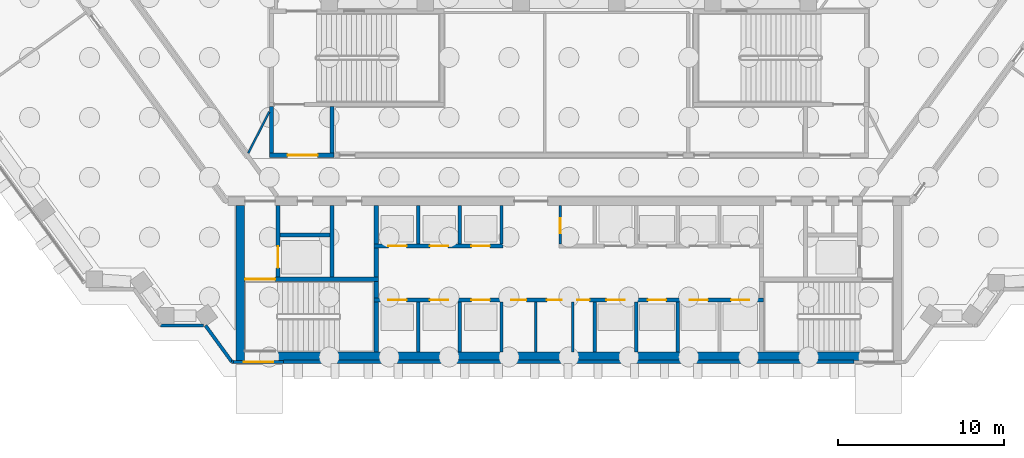
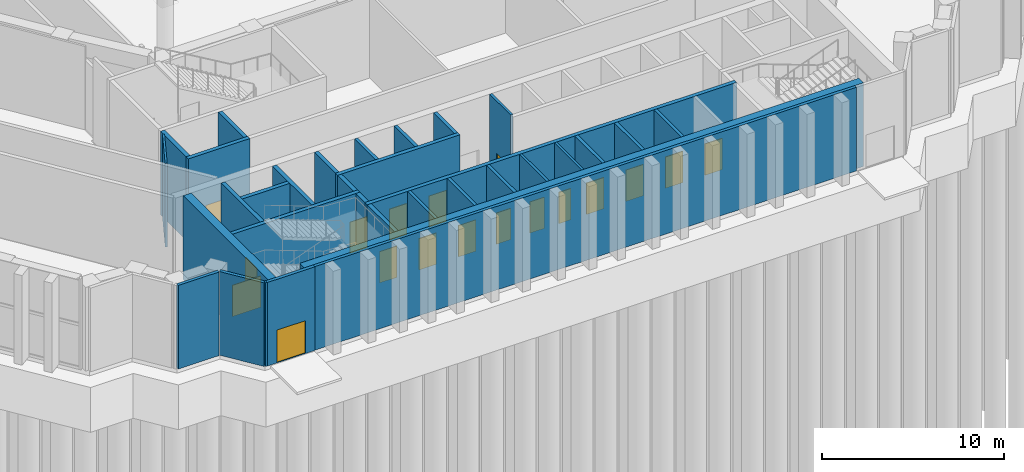
# One storey, part 17 of 32: 33 walls, 18 doors, 18 openings.
"""IFC4 building model written with IfcOpenShell, lengths in metres."""

import ifcopenshell
import ifcopenshell.guid

model = None  # the IFC model being written
_history = None  # IfcOwnerHistory: only IFC2X3 demands one
_inside = {}  # id of a spatial element -> (the spatial element, [elements in it])
_under = {}  # id of a project, library or spatial element -> (it, [spatial elements below it])
_declared = {}  # id of a project -> (the project, [libraries it declares])
_typed = {}  # id of a type object -> (the type object, [elements of that type])
_made_of = {}  # id of a material, layer set ... -> (it, [elements and type objects made of it])


def new_model(schema):
    """Start an empty IFC model of exactly this schema.

    Asked for "IFC4X3", IfcOpenShell would pick the latest addendum, in which some entities
    have other attributes; the version numbers below select the first issue.
    IFC2X3 requires an IfcOwnerHistory on every rooted entity: one is made here for all.
    """
    global model, _history
    if schema == "IFC4X3":
        model = ifcopenshell.file(schema_version=(4, 3, 0, 0))
    else:
        model = ifcopenshell.file(schema=schema)
    _inside.clear()
    _under.clear()
    _declared.clear()
    _typed.clear()
    _made_of.clear()
    _history = None
    if model.schema == "IFC2X3":
        org = make("IfcOrganization", Name="unknown")
        user = make(
            "IfcPersonAndOrganization",
            ThePerson=make("IfcPerson", FamilyName="unknown"),
            TheOrganization=org,
        )
        app = make(
            "IfcApplication",
            ApplicationDeveloper=org,
            Version="unknown",
            ApplicationFullName="unknown",
            ApplicationIdentifier="unknown",
        )
        _history = make(
            "IfcOwnerHistory",
            OwningUser=user,
            OwningApplication=app,
            ChangeAction="ADDED",
            CreationDate=0,
        )
    return model


def make(cls, **values):
    """One entity of the class cls with the attributes given. An attribute that is None is left unset."""
    return model.create_entity(
        cls, **{name: value for name, value in values.items() if value is not None}
    )


def rooted(cls, **values):
    """An entity with a GlobalId (a new one), such as an element, a storey or a relation."""
    return make(cls, GlobalId=ifcopenshell.guid.new(), OwnerHistory=_history, **values)


def si_unit(unit_type, name, prefix=None):
    """IfcSIUnit, for example si_unit("LENGTHUNIT", "METRE", prefix="MILLI")."""
    return make("IfcSIUnit", UnitType=unit_type, Prefix=prefix, Name=name)


def assignment(units):
    """IfcUnitAssignment: the units of a project."""
    return None if units is None else make("IfcUnitAssignment", Units=units)


def point(xyz):
    """IfcCartesianPoint."""
    return None if xyz is None else make("IfcCartesianPoint", Coordinates=xyz)


def direction(xyz):
    """IfcDirection."""
    return None if xyz is None else make("IfcDirection", DirectionRatios=xyz)


def frame(location, z_axis=None, x_axis=None):
    """IfcAxis2Placement3D, a coordinate frame: its origin and axes. An axis left out is left unset."""
    return make(
        "IfcAxis2Placement3D",
        Location=point(location),
        Axis=direction(z_axis),
        RefDirection=direction(x_axis),
    )


def frame_2d(location, x_axis=None):
    """IfcAxis2Placement2D, a coordinate frame in the plane: its origin and x axis."""
    return make(
        "IfcAxis2Placement2D", Location=point(location), RefDirection=direction(x_axis)
    )


def origin():
    """The frame at (0, 0, 0) with its axes left unset."""
    return frame((0.0, 0.0, 0.0))


def place(relative_to, where):
    """IfcLocalPlacement: puts the frame where relative to a parent placement (None: the world)."""
    return make(
        "IfcLocalPlacement", PlacementRelTo=relative_to, RelativePlacement=where
    )


def context(
    kind, dimensions, precision=None, world=None, true_north=None, identifier=None
):
    """IfcGeometricRepresentationContext, for example the 3D "Model" context."""
    return make(
        "IfcGeometricRepresentationContext",
        ContextIdentifier=identifier,
        ContextType=kind,
        CoordinateSpaceDimension=dimensions,
        Precision=precision,
        WorldCoordinateSystem=world,
        TrueNorth=true_north,
    )


def subcontext(parent, identifier, kind, view, scale=None):
    """IfcGeometricRepresentationSubContext, for example "Body" below "Model"."""
    return make(
        "IfcGeometricRepresentationSubContext",
        ContextIdentifier=identifier,
        ContextType=kind,
        ParentContext=parent,
        TargetScale=scale,
        TargetView=view,
    )


def project(units=None, contexts=None):
    """IfcProject with its units and contexts."""
    return rooted(
        "IfcProject",
        Name="project",
        RepresentationContexts=contexts,
        UnitsInContext=assignment(units),
    )


def spatial(cls, under=None, at=None, **own):
    """A site, building, storey or space (cls), placed at a placement, below another one or the project."""
    s = rooted(cls, ObjectPlacement=at, **own)
    if under is not None:
        _under.setdefault(under.id(), (under, []))[1].append(s)
    return s


def profile(cls, at=None, kind="AREA", **sizes):
    """A parametric profile (cls). Its sizes go by their IFC names, for example OverallWidth=200.0."""
    return make(cls, ProfileType=kind, Position=at, **sizes)


def rectangle(**sizes):
    """IfcRectangleProfileDef."""
    return profile("IfcRectangleProfileDef", **sizes)


def extrude(swept, where, along, depth):
    """IfcExtrudedAreaSolid: the profile swept, set in the frame where, extruded along a direction by depth."""
    return make(
        "IfcExtrudedAreaSolid",
        SweptArea=swept,
        Position=where,
        ExtrudedDirection=direction(along),
        Depth=depth,
    )


def shape(context_of_items, identifier, shape_type, items):
    """IfcShapeRepresentation: the items that make up one representation, for example the "Body"."""
    return make(
        "IfcShapeRepresentation",
        ContextOfItems=context_of_items,
        RepresentationIdentifier=identifier,
        RepresentationType=shape_type,
        Items=items,
    )


def material(Name=None, Category=None):
    """IfcMaterial."""
    return make("IfcMaterial", Name=Name, Category=Category)


def layer(
    of_material, thickness, ventilated=None, Name=None, Category=None, Priority=None
):
    """IfcMaterialLayer: one layer of a wall or slab, of a material (None: an air gap)."""
    return make(
        "IfcMaterialLayer",
        Material=of_material,
        LayerThickness=thickness,
        IsVentilated=ventilated,
        Name=Name,
        Category=Category,
        Priority=Priority,
    )


def layer_set(layers, Name=None):
    """IfcMaterialLayerSet."""
    return make("IfcMaterialLayerSet", MaterialLayers=layers, LayerSetName=Name)


def made_of(thing, what):
    """Note that an element or type object is made of a material, layer set ...; save() writes the relation."""
    if what is not None:
        _made_of.setdefault(what.id(), (what, []))[1].append(thing)
    return thing


def type_object(cls, material=None, **own):
    """A type object (cls), such as IfcWallType, which elements share."""
    return made_of(rooted(cls, **own), material)


def element(
    cls,
    number,
    at=None,
    inside=None,
    cuts=None,
    type_object=None,
    material=None,
    context=None,
    identifier="Body",
    shape_type=None,
    held_by="IfcProductDefinitionShape",
    body=None,
    shapes=None,
    **own,
):
    """One element of the class cls, such as IfcWall. Its Tag is "e" and its number.

    at: its placement. inside: the storey or other place that contains it. cuts: it is an
    opening in that element (IfcRelVoidsElement). A single representation is given by context,
    identifier, shape_type and body (its items); several are given by shapes. held_by: the class
    of the entity that holds the representations. save() writes the other relations.
    """
    e = rooted(cls, Tag="e%d" % number, ObjectPlacement=at, **own)
    if body is not None:
        shapes = [shape(context, identifier, shape_type, body)]
    if shapes is not None:
        e.Representation = make(held_by, Representations=shapes)
    if inside is not None:
        _inside.setdefault(inside.id(), (inside, []))[1].append(e)
    if cuts is not None:
        rooted(
            "IfcRelVoidsElement", RelatingBuildingElement=cuts, RelatedOpeningElement=e
        )
    if type_object is not None:
        _typed.setdefault(type_object.id(), (type_object, []))[1].append(e)
    return made_of(e, material)


def fill(opening, filler):
    """IfcRelFillsElement: the door or window that sits in an opening."""
    return rooted(
        "IfcRelFillsElement",
        RelatingOpeningElement=opening,
        RelatedBuildingElement=filler,
    )


def aggregate(whole, parts):
    """IfcRelAggregates: a whole, such as a stair, and the parts it consists of."""
    return rooted("IfcRelAggregates", RelatingObject=whole, RelatedObjects=parts)


def save(model, path):
    """Write the relations noted so far, then the file.

    IfcRelAggregates (storeys below a building ...), IfcRelContainedInSpatialStructure (elements
    in a storey), IfcRelDefinesByType, IfcRelAssociatesMaterial and IfcRelDeclares: one each for
    every whole, place, type object, material and project.
    """
    for whole, parts in _under.values():
        aggregate(whole, parts)
    for where, things in _inside.values():
        rooted(
            "IfcRelContainedInSpatialStructure",
            RelatedElements=things,
            RelatingStructure=where,
        )
    for kind, things in _typed.values():
        rooted("IfcRelDefinesByType", RelatedObjects=things, RelatingType=kind)
    for what, things in _made_of.values():
        rooted("IfcRelAssociatesMaterial", RelatedObjects=things, RelatingMaterial=what)
    for by, libraries in _declared.values():
        rooted("IfcRelDeclares", RelatingContext=by, RelatedDefinitions=libraries)
    model.write(path)


model = new_model("IFC4")

# Units and contexts
model_context = context("Model", 3, precision=1e-05, world=origin(), true_north=direction((0.0, 1.0)))
body_context = subcontext(model_context, "Body", "Model", "MODEL_VIEW")
ifc_project = project(units=[si_unit("LENGTHUNIT", "METRE"), si_unit("AREAUNIT", "SQUARE_METRE"), si_unit("VOLUMEUNIT", "CUBIC_METRE"), si_unit("PLANEANGLEUNIT", "RADIAN"), si_unit("MASSUNIT", "GRAM", prefix="KILO")], contexts=[model_context])

# Site, building, storey
site_placement = place(None, origin())
site = spatial("IfcSite", under=ifc_project, at=site_placement, CompositionType="ELEMENT")
building_placement = place(site_placement, origin())
building = spatial("IfcBuilding", under=site, at=building_placement, Name="Quipu Civic Tower", CompositionType="ELEMENT")
storey_placement = place(building_placement, origin())
storey = spatial("IfcBuildingStorey", under=building, at=storey_placement, Name="L00", CompositionType="ELEMENT", Elevation=0.0)

# Wall
ifc_material_1 = material(Name="Concrete C70/85", Category="concrete")
ifc_layer_1 = layer(ifc_material_1, 0.25)
ifc_layer_set_1 = layer_set([ifc_layer_1], Name="Concrete C70/85")
wall_type_1 = type_object("IfcWallType", Name="Core wall 250", PredefinedType="SHEAR", material=ifc_layer_set_1)
wall_1_placement = place(storey_placement, frame((-11.574951171875, -10.5, 0.0), z_axis=(0.0, 0.0, 1.0), x_axis=(0.0, 1.0, 0.0)))
element("IfcWall", 1, at=wall_1_placement, inside=storey, type_object=wall_type_1, Name="Core wall", PredefinedType="SHEAR", context=body_context, shape_type="SweptSolid", body=[
    extrude(rectangle(XDim=3.0, YDim=0.25, at=frame_2d((1.5, 0.0))), origin(), (0.0, 0.0, 1.0), 5.60009765625),
])

# Wall, openings, doors
wall_2_placement = place(storey_placement, frame((11.699951171875, -7.375, 0.0), z_axis=(0.0, 0.0, 1.0), x_axis=(-1.0, 0.0, 0.0)))
wall_2 = element("IfcWall", 2, at=wall_2_placement, inside=storey, type_object=wall_type_1, Name="Core wall", PredefinedType="SHEAR", context=body_context, shape_type="SweptSolid", body=[
    extrude(rectangle(XDim=23.39990234375, YDim=0.25, at=frame_2d((11.699951171875, 0.0))), origin(), (0.0, 0.0, 1.0), 5.60009765625),
])
opening_1_placement = place(wall_2_placement, frame((21.449951171875, 0.0, 0.0)))
opening_1 = element("IfcOpeningElement", 3, at=opening_1_placement, cuts=wall_2, Name="Opening LD-LL1", PredefinedType="OPENING", context=body_context, shape_type="SweptSolid", body=[
    extrude(rectangle(XDim=1.10009765625, YDim=2.10009765625, at=frame_2d((0.550048828125, 1.050048828125))), frame((0.0, 0.135009765625, 0.0), z_axis=(0.0, -1.0, 0.0), x_axis=(1.0, 0.0, 0.0)), (0.0, 0.0, 1.0), 0.27001953125),
])
opening_2_placement = place(wall_2_placement, frame((18.949951171875, 0.0, 0.0)))
opening_2 = element("IfcOpeningElement", 4, at=opening_2_placement, cuts=wall_2, Name="Opening LD-LL2", PredefinedType="OPENING", context=body_context, shape_type="SweptSolid", body=[
    extrude(rectangle(XDim=1.10009765625, YDim=2.10009765625, at=frame_2d((0.550048828125, 1.050048828125))), frame((0.0, 0.135009765625, 0.0), z_axis=(0.0, -1.0, 0.0), x_axis=(1.0, 0.0, 0.0)), (0.0, 0.0, 1.0), 0.27001953125),
])
opening_3_placement = place(wall_2_placement, frame((16.449951171875, 0.0, 0.0)))
opening_3 = element("IfcOpeningElement", 5, at=opening_3_placement, cuts=wall_2, Name="Opening LD-LL3", PredefinedType="OPENING", context=body_context, shape_type="SweptSolid", body=[
    extrude(rectangle(XDim=1.10009765625, YDim=2.10009765625, at=frame_2d((0.550048828125, 1.050048828125))), frame((0.0, 0.135009765625, 0.0), z_axis=(0.0, -1.0, 0.0), x_axis=(1.0, 0.0, 0.0)), (0.0, 0.0, 1.0), 0.27001953125),
])
opening_4_placement = place(wall_2_placement, frame((14.25, 0.0, 0.0)))
opening_4 = element("IfcOpeningElement", 6, at=opening_4_placement, cuts=wall_2, Name="Opening CD-01", PredefinedType="OPENING", context=body_context, shape_type="SweptSolid", body=[
    extrude(rectangle(XDim=0.89990234375, YDim=2.10009765625, at=frame_2d((0.449951171875, 1.050048828125))), frame((0.0, 0.135009765625, 0.0), z_axis=(0.0, -1.0, 0.0), x_axis=(1.0, 0.0, 0.0)), (0.0, 0.0, 1.0), 0.27001953125),
])
opening_5_placement = place(wall_2_placement, frame((12.125, 0.0, 0.0)))
opening_5 = element("IfcOpeningElement", 7, at=opening_5_placement, cuts=wall_2, Name="Opening CD-02", PredefinedType="OPENING", context=body_context, shape_type="SweptSolid", body=[
    extrude(rectangle(XDim=0.89990234375, YDim=2.10009765625, at=frame_2d((0.449951171875, 1.050048828125))), frame((0.0, 0.135009765625, 0.0), z_axis=(0.0, -1.0, 0.0), x_axis=(1.0, 0.0, 0.0)), (0.0, 0.0, 1.0), 0.27001953125),
])
opening_6_placement = place(wall_2_placement, frame((10.449951171875, 0.0, 0.0)))
opening_6 = element("IfcOpeningElement", 8, at=opening_6_placement, cuts=wall_2, Name="Opening CD-03", PredefinedType="OPENING", context=body_context, shape_type="SweptSolid", body=[
    extrude(rectangle(XDim=0.75, YDim=2.10009765625, at=frame_2d((0.375, 1.050048828125))), frame((0.0, 0.135009765625, 0.0), z_axis=(0.0, -1.0, 0.0), x_axis=(1.0, 0.0, 0.0)), (0.0, 0.0, 1.0), 0.27001953125),
])
opening_7_placement = place(wall_2_placement, frame((8.35009765625, 0.0, 0.0)))
opening_7 = element("IfcOpeningElement", 9, at=opening_7_placement, cuts=wall_2, Name="Opening LD-ML1", PredefinedType="OPENING", context=body_context, shape_type="SweptSolid", body=[
    extrude(rectangle(XDim=1.10009765625, YDim=2.10009765625, at=frame_2d((0.550048828125, 1.050048828125))), frame((0.0, 0.135009765625, 0.0), z_axis=(0.0, -1.0, 0.0), x_axis=(1.0, 0.0, 0.0)), (0.0, 0.0, 1.0), 0.27001953125),
])
opening_8_placement = place(wall_2_placement, frame((5.85009765625, 0.0, 0.0)))
opening_8 = element("IfcOpeningElement", 10, at=opening_8_placement, cuts=wall_2, Name="Opening LD-ML2", PredefinedType="OPENING", context=body_context, shape_type="SweptSolid", body=[
    extrude(rectangle(XDim=1.10009765625, YDim=2.10009765625, at=frame_2d((0.550048828125, 1.050048828125))), frame((0.0, 0.135009765625, 0.0), z_axis=(0.0, -1.0, 0.0), x_axis=(1.0, 0.0, 0.0)), (0.0, 0.0, 1.0), 0.27001953125),
])
opening_9_placement = place(wall_2_placement, frame((3.35009765625, 0.0, 0.0)))
opening_9 = element("IfcOpeningElement", 11, at=opening_9_placement, cuts=wall_2, Name="Opening LD-ML3", PredefinedType="OPENING", context=body_context, shape_type="SweptSolid", body=[
    extrude(rectangle(XDim=1.10009765625, YDim=2.10009765625, at=frame_2d((0.550048828125, 1.050048828125))), frame((0.0, 0.135009765625, 0.0), z_axis=(0.0, -1.0, 0.0), x_axis=(1.0, 0.0, 0.0)), (0.0, 0.0, 1.0), 0.27001953125),
])
opening_10_placement = place(wall_2_placement, frame((0.85009765625, 0.0, 0.0)))
opening_10 = element("IfcOpeningElement", 12, at=opening_10_placement, cuts=wall_2, Name="Opening LD-ML4", PredefinedType="OPENING", context=body_context, shape_type="SweptSolid", body=[
    extrude(rectangle(XDim=1.10009765625, YDim=2.10009765625, at=frame_2d((0.550048828125, 1.050048828125))), frame((0.0, 0.135009765625, 0.0), z_axis=(0.0, -1.0, 0.0), x_axis=(1.0, 0.0, 0.0)), (0.0, 0.0, 1.0), 0.27001953125),
])
ifc_material_2 = material(Name="Fire rated steel door", Category="steel")
door_type_1 = type_object("IfcDoorType", Name="Fire door FD60 750 x 2100", OperationType="NOTDEFINED", PredefinedType="DOOR", material=ifc_material_2)
door_1_placement = place(opening_6_placement, origin())
door_1 = element("IfcDoor", 13, at=door_1_placement, inside=storey, type_object=door_type_1, Name="Door", OperationType="SINGLE_SWING_LEFT", OverallHeight=2.10009765625, OverallWidth=0.75, PredefinedType="DOOR", context=body_context, shape_type="SweptSolid", body=[
    extrude(rectangle(XDim=0.75, YDim=2.10009765625, at=frame_2d((0.375, 1.050048828125))), frame((0.0, 0.02490234375, 0.0), z_axis=(0.0, -1.0, 0.0), x_axis=(1.0, 0.0, 0.0)), (0.0, 0.0, 1.0), 0.050048828125),
])
fill(opening_6, door_1)
ifc_material_3 = material(Name="Fire rated steel door", Category="steel")
door_type_2 = type_object("IfcDoorType", Name="Fire door FD60 900 x 2100", OperationType="NOTDEFINED", PredefinedType="DOOR", material=ifc_material_3)
door_2_placement = place(opening_4_placement, origin())
door_2 = element("IfcDoor", 14, at=door_2_placement, inside=storey, type_object=door_type_2, Name="WC door", OperationType="SINGLE_SWING_RIGHT", OverallHeight=2.10009765625, OverallWidth=0.89990234375, PredefinedType="DOOR", context=body_context, shape_type="SweptSolid", body=[
    extrude(rectangle(XDim=0.89990234375, YDim=2.10009765625, at=frame_2d((0.449951171875, 1.050048828125))), frame((0.0, 0.02490234375, 0.0), z_axis=(0.0, -1.0, 0.0), x_axis=(1.0, 0.0, 0.0)), (0.0, 0.0, 1.0), 0.050048828125),
])
fill(opening_4, door_2)
door_3_placement = place(opening_5_placement, origin())
door_3 = element("IfcDoor", 15, at=door_3_placement, inside=storey, type_object=door_type_2, Name="WC door", OperationType="SINGLE_SWING_RIGHT", OverallHeight=2.10009765625, OverallWidth=0.89990234375, PredefinedType="DOOR", context=body_context, shape_type="SweptSolid", body=[
    extrude(rectangle(XDim=0.89990234375, YDim=2.10009765625, at=frame_2d((0.449951171875, 1.050048828125))), frame((0.0, 0.02490234375, 0.0), z_axis=(0.0, -1.0, 0.0), x_axis=(1.0, 0.0, 0.0)), (0.0, 0.0, 1.0), 0.050048828125),
])
fill(opening_5, door_3)
ifc_material_4 = material(Name="Stainless steel", Category="steel")
door_type_3 = type_object("IfcDoorType", Name="Lift landing door 1100 x 2100", OperationType="DOUBLE_DOOR_SLIDING", PredefinedType="DOOR", material=ifc_material_4)
door_4_placement = place(opening_1_placement, origin())
door_4 = element("IfcDoor", 16, at=door_4_placement, inside=storey, type_object=door_type_3, Name="Landing door LL1", OperationType="DOUBLE_DOOR_SLIDING", OverallHeight=2.10009765625, OverallWidth=1.10009765625, PredefinedType="DOOR", context=body_context, shape_type="SweptSolid", body=[
    extrude(rectangle(XDim=1.10009765625, YDim=2.10009765625, at=frame_2d((0.550048828125, 1.050048828125))), frame((0.0, 0.02490234375, 0.0), z_axis=(0.0, -1.0, 0.0), x_axis=(1.0, 0.0, 0.0)), (0.0, 0.0, 1.0), 0.050048828125),
])
fill(opening_1, door_4)
door_5_placement = place(opening_2_placement, origin())
door_5 = element("IfcDoor", 17, at=door_5_placement, inside=storey, type_object=door_type_3, Name="Landing door LL2", OperationType="DOUBLE_DOOR_SLIDING", OverallHeight=2.10009765625, OverallWidth=1.10009765625, PredefinedType="DOOR", context=body_context, shape_type="SweptSolid", body=[
    extrude(rectangle(XDim=1.10009765625, YDim=2.10009765625, at=frame_2d((0.550048828125, 1.050048828125))), frame((0.0, 0.02490234375, 0.0), z_axis=(0.0, -1.0, 0.0), x_axis=(1.0, 0.0, 0.0)), (0.0, 0.0, 1.0), 0.050048828125),
])
fill(opening_2, door_5)
door_6_placement = place(opening_3_placement, origin())
door_6 = element("IfcDoor", 18, at=door_6_placement, inside=storey, type_object=door_type_3, Name="Landing door LL3", OperationType="DOUBLE_DOOR_SLIDING", OverallHeight=2.10009765625, OverallWidth=1.10009765625, PredefinedType="DOOR", context=body_context, shape_type="SweptSolid", body=[
    extrude(rectangle(XDim=1.10009765625, YDim=2.10009765625, at=frame_2d((0.550048828125, 1.050048828125))), frame((0.0, 0.02490234375, 0.0), z_axis=(0.0, -1.0, 0.0), x_axis=(1.0, 0.0, 0.0)), (0.0, 0.0, 1.0), 0.050048828125),
])
fill(opening_3, door_6)
door_7_placement = place(opening_7_placement, origin())
door_7 = element("IfcDoor", 19, at=door_7_placement, inside=storey, type_object=door_type_3, Name="Landing door ML1", OperationType="DOUBLE_DOOR_SLIDING", OverallHeight=2.10009765625, OverallWidth=1.10009765625, PredefinedType="DOOR", context=body_context, shape_type="SweptSolid", body=[
    extrude(rectangle(XDim=1.10009765625, YDim=2.10009765625, at=frame_2d((0.550048828125, 1.050048828125))), frame((0.0, 0.02490234375, 0.0), z_axis=(0.0, -1.0, 0.0), x_axis=(1.0, 0.0, 0.0)), (0.0, 0.0, 1.0), 0.050048828125),
])
fill(opening_7, door_7)
door_8_placement = place(opening_8_placement, origin())
door_8 = element("IfcDoor", 20, at=door_8_placement, inside=storey, type_object=door_type_3, Name="Landing door ML2", OperationType="DOUBLE_DOOR_SLIDING", OverallHeight=2.10009765625, OverallWidth=1.10009765625, PredefinedType="DOOR", context=body_context, shape_type="SweptSolid", body=[
    extrude(rectangle(XDim=1.10009765625, YDim=2.10009765625, at=frame_2d((0.550048828125, 1.050048828125))), frame((0.0, 0.02490234375, 0.0), z_axis=(0.0, -1.0, 0.0), x_axis=(1.0, 0.0, 0.0)), (0.0, 0.0, 1.0), 0.050048828125),
])
fill(opening_8, door_8)
door_9_placement = place(opening_9_placement, origin())
door_9 = element("IfcDoor", 21, at=door_9_placement, inside=storey, type_object=door_type_3, Name="Landing door ML3", OperationType="DOUBLE_DOOR_SLIDING", OverallHeight=2.10009765625, OverallWidth=1.10009765625, PredefinedType="DOOR", context=body_context, shape_type="SweptSolid", body=[
    extrude(rectangle(XDim=1.10009765625, YDim=2.10009765625, at=frame_2d((0.550048828125, 1.050048828125))), frame((0.0, 0.02490234375, 0.0), z_axis=(0.0, -1.0, 0.0), x_axis=(1.0, 0.0, 0.0)), (0.0, 0.0, 1.0), 0.050048828125),
])
fill(opening_9, door_9)
door_10_placement = place(opening_10_placement, origin())
door_10 = element("IfcDoor", 22, at=door_10_placement, inside=storey, type_object=door_type_3, Name="Landing door ML4", OperationType="DOUBLE_DOOR_SLIDING", OverallHeight=2.10009765625, OverallWidth=1.10009765625, PredefinedType="DOOR", context=body_context, shape_type="SweptSolid", body=[
    extrude(rectangle(XDim=1.10009765625, YDim=2.10009765625, at=frame_2d((0.550048828125, 1.050048828125))), frame((0.0, 0.02490234375, 0.0), z_axis=(0.0, -1.0, 0.0), x_axis=(1.0, 0.0, 0.0)), (0.0, 0.0, 1.0), 0.050048828125),
])
fill(opening_10, door_10)

# Wall
wall_3_placement = place(storey_placement, frame((-11.574951171875, -7.25, 0.0), z_axis=(0.0, 0.0, 1.0), x_axis=(0.0, 1.0, 0.0)))
element("IfcWall", 23, at=wall_3_placement, inside=storey, type_object=wall_type_1, Name="Core wall", PredefinedType="SHEAR", context=body_context, shape_type="SweptSolid", body=[
    extrude(rectangle(XDim=1.0, YDim=0.25, at=frame_2d((0.5, 0.0))), origin(), (0.0, 0.0, 1.0), 5.60009765625),
])

# Wall, opening, door
wall_4_placement = place(storey_placement, frame((-11.449951171875, -6.125, 0.0), z_axis=(0.0, 0.0, 1.0), x_axis=(-1.0, 0.0, 0.0)))
wall_4 = element("IfcWall", 24, at=wall_4_placement, inside=storey, type_object=wall_type_1, Name="Core wall", PredefinedType="SHEAR", context=body_context, shape_type="SweptSolid", body=[
    extrude(rectangle(XDim=8.050048828125, YDim=0.25, at=frame_2d((4.02490234375, 0.0))), origin(), (0.0, 0.0, 1.0), 5.60009765625),
])
opening_11_placement = place(wall_4_placement, frame((6.199951171875, 0.0, 0.0)))
opening_11 = element("IfcOpeningElement", 25, at=opening_11_placement, cuts=wall_4, Name="Opening CD-04", PredefinedType="OPENING", context=body_context, shape_type="SweptSolid", body=[
    extrude(rectangle(XDim=1.800048828125, YDim=2.10009765625, at=frame_2d((0.89990234375, 1.050048828125))), frame((0.0, 0.135009765625, 0.0), z_axis=(0.0, -1.0, 0.0), x_axis=(1.0, 0.0, 0.0)), (0.0, 0.0, 1.0), 0.27001953125),
])
ifc_material_5 = material(Name="Fire rated steel door", Category="steel")
door_type_4 = type_object("IfcDoorType", Name="Fire door FD90 double 1800 x 2100", OperationType="NOTDEFINED", PredefinedType="DOOR", material=ifc_material_5)
door_11_placement = place(opening_11_placement, origin())
door_11 = element("IfcDoor", 26, at=door_11_placement, inside=storey, type_object=door_type_4, Name="Door", OperationType="DOUBLE_DOOR_SINGLE_SWING", OverallHeight=2.10009765625, OverallWidth=1.800048828125, PredefinedType="DOOR", context=body_context, shape_type="SweptSolid", body=[
    extrude(rectangle(XDim=1.800048828125, YDim=2.10009765625, at=frame_2d((0.89990234375, 1.050048828125))), frame((0.0, 0.02490234375, 0.0), z_axis=(0.0, -1.0, 0.0), x_axis=(1.0, 0.0, 0.0)), (0.0, 0.0, 1.0), 0.050048828125),
])
fill(opening_11, door_11)

wall_5_placement = place(storey_placement, frame((-17.47509765625, -6.0, 0.0), z_axis=(0.0, 0.0, 1.0), x_axis=(0.0, 1.0, 0.0)))
wall_5 = element("IfcWall", 27, at=wall_5_placement, inside=storey, type_object=wall_type_1, Name="Core wall", PredefinedType="SHEAR", context=body_context, shape_type="SweptSolid", body=[
    extrude(rectangle(XDim=4.300048828125, YDim=0.25, at=frame_2d((2.14990234375, 0.0))), origin(), (0.0, 0.0, 1.0), 5.60009765625),
])
opening_12_placement = place(wall_5_placement, frame((0.550048828125, 0.0, 0.0)))
opening_12 = element("IfcOpeningElement", 28, at=opening_12_placement, cuts=wall_5, Name="Opening LD-FF1", PredefinedType="OPENING", context=body_context, shape_type="SweptSolid", body=[
    extrude(rectangle(XDim=1.300048828125, YDim=2.10009765625, at=frame_2d((0.64990234375, 1.050048828125))), frame((0.0, 0.135009765625, 0.0), z_axis=(0.0, -1.0, 0.0), x_axis=(1.0, 0.0, 0.0)), (0.0, 0.0, 1.0), 0.27001953125),
])
ifc_material_6 = material(Name="Stainless steel", Category="steel")
door_type_5 = type_object("IfcDoorType", Name="Lift landing door 1300 x 2100", OperationType="DOUBLE_DOOR_SLIDING", PredefinedType="DOOR", material=ifc_material_6)
door_12_placement = place(opening_12_placement, origin())
door_12 = element("IfcDoor", 29, at=door_12_placement, inside=storey, type_object=door_type_5, Name="Landing door FF1", OperationType="DOUBLE_DOOR_SLIDING", OverallHeight=2.10009765625, OverallWidth=1.300048828125, PredefinedType="DOOR", context=body_context, shape_type="SweptSolid", body=[
    extrude(rectangle(XDim=1.300048828125, YDim=2.10009765625, at=frame_2d((0.64990234375, 1.050048828125))), frame((0.0, 0.02490234375, 0.0), z_axis=(0.0, -1.0, 0.0), x_axis=(1.0, 0.0, 0.0)), (0.0, 0.0, 1.0), 0.050048828125),
])
fill(opening_12, door_12)

# Walls
wall_6_placement = place(storey_placement, frame((-14.22509765625, -6.0, 0.0), z_axis=(0.0, 0.0, 1.0), x_axis=(0.0, 1.0, 0.0)))
element("IfcWall", 30, at=wall_6_placement, inside=storey, type_object=wall_type_1, Name="Core wall", PredefinedType="SHEAR", context=body_context, shape_type="SweptSolid", body=[
    extrude(rectangle(XDim=4.300048828125, YDim=0.25, at=frame_2d((2.14990234375, 0.0))), origin(), (0.0, 0.0, 1.0), 5.60009765625),
])
wall_7_placement = place(storey_placement, frame((-11.574951171875, -6.0, 0.0), z_axis=(0.0, 0.0, 1.0), x_axis=(0.0, 1.0, 0.0)))
element("IfcWall", 31, at=wall_7_placement, inside=storey, type_object=wall_type_1, Name="Core wall", PredefinedType="SHEAR", context=body_context, shape_type="SweptSolid", body=[
    extrude(rectangle(XDim=1.75, YDim=0.25, at=frame_2d((0.875, 0.0))), origin(), (0.0, 0.0, 1.0), 5.60009765625),
])

# Wall, openings, doors
wall_8_placement = place(storey_placement, frame((-11.699951171875, -4.125, 0.0), z_axis=(0.0, 0.0, 1.0), x_axis=(1.0, 0.0, 0.0)))
wall_8 = element("IfcWall", 32, at=wall_8_placement, inside=storey, type_object=wall_type_1, Name="Core wall", PredefinedType="SHEAR", context=body_context, shape_type="SweptSolid", body=[
    extrude(rectangle(XDim=7.75, YDim=0.25, at=frame_2d((3.875, 0.0))), origin(), (0.0, 0.0, 1.0), 5.60009765625),
])
opening_13_placement = place(wall_8_placement, frame((0.85009765625, 0.0, 0.0)))
opening_13 = element("IfcOpeningElement", 33, at=opening_13_placement, cuts=wall_8, Name="Opening LD-LL4", PredefinedType="OPENING", context=body_context, shape_type="SweptSolid", body=[
    extrude(rectangle(XDim=1.10009765625, YDim=2.10009765625, at=frame_2d((0.550048828125, 1.050048828125))), frame((0.0, 0.135009765625, 0.0), z_axis=(0.0, -1.0, 0.0), x_axis=(1.0, 0.0, 0.0)), (0.0, 0.0, 1.0), 0.27001953125),
])
opening_14_placement = place(wall_8_placement, frame((3.35009765625, 0.0, 0.0)))
opening_14 = element("IfcOpeningElement", 34, at=opening_14_placement, cuts=wall_8, Name="Opening LD-LL5", PredefinedType="OPENING", context=body_context, shape_type="SweptSolid", body=[
    extrude(rectangle(XDim=1.10009765625, YDim=2.10009765625, at=frame_2d((0.550048828125, 1.050048828125))), frame((0.0, 0.135009765625, 0.0), z_axis=(0.0, -1.0, 0.0), x_axis=(1.0, 0.0, 0.0)), (0.0, 0.0, 1.0), 0.27001953125),
])
opening_15_placement = place(wall_8_placement, frame((5.85009765625, 0.0, 0.0)))
opening_15 = element("IfcOpeningElement", 35, at=opening_15_placement, cuts=wall_8, Name="Opening LD-LL6", PredefinedType="OPENING", context=body_context, shape_type="SweptSolid", body=[
    extrude(rectangle(XDim=1.10009765625, YDim=2.10009765625, at=frame_2d((0.550048828125, 1.050048828125))), frame((0.0, 0.135009765625, 0.0), z_axis=(0.0, -1.0, 0.0), x_axis=(1.0, 0.0, 0.0)), (0.0, 0.0, 1.0), 0.27001953125),
])
door_13_placement = place(opening_13_placement, origin())
door_13 = element("IfcDoor", 36, at=door_13_placement, inside=storey, type_object=door_type_3, Name="Landing door LL4", OperationType="DOUBLE_DOOR_SLIDING", OverallHeight=2.10009765625, OverallWidth=1.10009765625, PredefinedType="DOOR", context=body_context, shape_type="SweptSolid", body=[
    extrude(rectangle(XDim=1.10009765625, YDim=2.10009765625, at=frame_2d((0.550048828125, 1.050048828125))), frame((0.0, 0.02490234375, 0.0), z_axis=(0.0, -1.0, 0.0), x_axis=(1.0, 0.0, 0.0)), (0.0, 0.0, 1.0), 0.050048828125),
])
fill(opening_13, door_13)
door_14_placement = place(opening_14_placement, origin())
door_14 = element("IfcDoor", 37, at=door_14_placement, inside=storey, type_object=door_type_3, Name="Landing door LL5", OperationType="DOUBLE_DOOR_SLIDING", OverallHeight=2.10009765625, OverallWidth=1.10009765625, PredefinedType="DOOR", context=body_context, shape_type="SweptSolid", body=[
    extrude(rectangle(XDim=1.10009765625, YDim=2.10009765625, at=frame_2d((0.550048828125, 1.050048828125))), frame((0.0, 0.02490234375, 0.0), z_axis=(0.0, -1.0, 0.0), x_axis=(1.0, 0.0, 0.0)), (0.0, 0.0, 1.0), 0.050048828125),
])
fill(opening_14, door_14)
door_15_placement = place(opening_15_placement, origin())
door_15 = element("IfcDoor", 38, at=door_15_placement, inside=storey, type_object=door_type_3, Name="Landing door LL6", OperationType="DOUBLE_DOOR_SLIDING", OverallHeight=2.10009765625, OverallWidth=1.10009765625, PredefinedType="DOOR", context=body_context, shape_type="SweptSolid", body=[
    extrude(rectangle(XDim=1.10009765625, YDim=2.10009765625, at=frame_2d((0.550048828125, 1.050048828125))), frame((0.0, 0.02490234375, 0.0), z_axis=(0.0, -1.0, 0.0), x_axis=(1.0, 0.0, 0.0)), (0.0, 0.0, 1.0), 0.050048828125),
])
fill(opening_15, door_15)

# Walls
wall_9_placement = place(storey_placement, frame((-11.574951171875, -4.0, 0.0), z_axis=(0.0, 0.0, 1.0), x_axis=(0.0, 1.0, 0.0)))
element("IfcWall", 39, at=wall_9_placement, inside=storey, type_object=wall_type_1, Name="Core wall", PredefinedType="SHEAR", context=body_context, shape_type="SweptSolid", body=[
    extrude(rectangle(XDim=2.300048828125, YDim=0.25, at=frame_2d((1.14990234375, 0.0))), origin(), (0.0, 0.0, 1.0), 5.60009765625),
])
wall_10_placement = place(storey_placement, frame((-17.35009765625, -3.47509765625, 0.0), z_axis=(0.0, 0.0, 1.0), x_axis=(1.0, 0.0, 0.0)))
element("IfcWall", 40, at=wall_10_placement, inside=storey, type_object=wall_type_1, Name="Core wall", PredefinedType="SHEAR", context=body_context, shape_type="SweptSolid", body=[
    extrude(rectangle(XDim=3.0, YDim=0.25, at=frame_2d((1.5, 0.0))), origin(), (0.0, 0.0, 1.0), 5.60009765625),
])

# Wall, opening, door
wall_11_placement = place(storey_placement, frame((-18.0, 1.324951171875, 0.0), z_axis=(0.0, 0.0, 1.0), x_axis=(1.0, 0.0, 0.0)))
wall_11 = element("IfcWall", 41, at=wall_11_placement, inside=storey, type_object=wall_type_1, Name="Core wall", PredefinedType="SHEAR", context=body_context, shape_type="SweptSolid", body=[
    extrude(rectangle(XDim=3.89990234375, YDim=0.25, at=frame_2d((1.949951171875, 0.0))), origin(), (0.0, 0.0, 1.0), 5.60009765625),
])
opening_16_placement = place(wall_11_placement, frame((1.10009765625, 0.0, 0.0)))
opening_16 = element("IfcOpeningElement", 42, at=opening_16_placement, cuts=wall_11, Name="Opening CD-15", PredefinedType="OPENING", context=body_context, shape_type="SweptSolid", body=[
    extrude(rectangle(XDim=1.800048828125, YDim=2.10009765625, at=frame_2d((0.89990234375, 1.050048828125))), frame((0.0, 0.135009765625, 0.0), z_axis=(0.0, -1.0, 0.0), x_axis=(1.0, 0.0, 0.0)), (0.0, 0.0, 1.0), 0.27001953125),
])
door_16_placement = place(opening_16_placement, origin())
door_16 = element("IfcDoor", 43, at=door_16_placement, inside=storey, type_object=door_type_4, Name="Lobby door", OperationType="DOUBLE_DOOR_SINGLE_SWING", OverallHeight=2.10009765625, OverallWidth=1.800048828125, PredefinedType="DOOR", context=body_context, shape_type="SweptSolid", body=[
    extrude(rectangle(XDim=1.800048828125, YDim=2.10009765625, at=frame_2d((0.89990234375, 1.050048828125))), frame((0.0, 0.02490234375, 0.0), z_axis=(0.0, -1.0, 0.0), x_axis=(1.0, 0.0, 0.0)), (0.0, 0.0, 1.0), 0.050048828125),
])
fill(opening_16, door_16)

# Walls
for number, where, z_axis, x_axis, name in (
    (44, (-17.875, 1.449951171875, 0.0), (0.0, 0.0, 1.0), (0.0, 1.0, 0.0), "Core wall"),
    (45, (-14.22509765625, 1.449951171875, 0.0), (0.0, 0.0, 1.0), (0.0, 1.0, 0.0), "Core wall"),
):
    element("IfcWall", number, at=place(storey_placement, frame(where, z_axis=z_axis, x_axis=x_axis)), inside=storey, type_object=wall_type_1, Name=name, PredefinedType="SHEAR", context=body_context, shape_type="SweptSolid", body=[
        extrude(rectangle(XDim=2.800048828125, YDim=0.25, at=frame_2d((1.39990234375, 0.0))), origin(), (0.0, 0.0, 1.0), 5.60009765625),
    ])
ifc_material_7 = material(Name="Concrete C70/85", Category="concrete")
ifc_layer_2 = layer(ifc_material_7, 0.5)
ifc_layer_set_2 = layer_set([ifc_layer_2], Name="Concrete C70/85")
wall_type_2 = type_object("IfcWallType", Name="Core wall 500", PredefinedType="SHEAR", material=ifc_layer_set_2)
wall_12_placement = place(storey_placement, frame((-19.75, -11.0, 0.0), z_axis=(0.0, 0.0, 1.0), x_axis=(0.0, 1.0, 0.0)))
element("IfcWall", 46, at=wall_12_placement, inside=storey, type_object=wall_type_2, Name="Core wall", PredefinedType="SHEAR", context=body_context, shape_type="SweptSolid", body=[
    extrude(rectangle(XDim=9.300048828125, YDim=0.5, at=frame_2d((4.64990234375, 0.0))), origin(), (0.0, 0.0, 1.0), 5.60009765625),
])
wall_13_placement = place(storey_placement, frame((-17.699951171875, -10.75, 0.0), z_axis=(0.0, 0.0, 1.0), x_axis=(1.0, 0.0, 0.0)))
element("IfcWall", 47, at=wall_13_placement, inside=storey, type_object=wall_type_2, Name="Core wall", PredefinedType="SHEAR", context=body_context, shape_type="SweptSolid", body=[
    extrude(rectangle(XDim=35.39990234375, YDim=0.5, at=frame_2d((17.699951171875, 0.0))), origin(), (0.0, 0.0, 1.0), 5.60009765625),
])
ifc_material_8 = material(Name="Gypsum plasterboard on light gauge framing")
ifc_layer_3 = layer(ifc_material_8, 0.1201171875)
ifc_layer_set_3 = layer_set([ifc_layer_3], Name="Gypsum plasterboard on light gauge framing")
wall_type_3 = type_object("IfcWallType", Name="Partition 120 plasterboard", PredefinedType="PARTITIONING", material=ifc_layer_set_3)
wall_14_placement = place(storey_placement, frame((-19.260986328125, 1.449951171875, 0.0), z_axis=(0.0, 0.0, 1.0), x_axis=(0.453950796792, 0.891026752736, 0.0)))
element("IfcWall", 48, at=wall_14_placement, inside=storey, type_object=wall_type_3, Name="Partition P43", PredefinedType="PARTITIONING", context=body_context, shape_type="SweptSolid", body=[
    extrude(rectangle(XDim=2.77783203125, YDim=0.1201171875, at=frame_2d((1.388916015625, 0.0))), origin(), (0.0, 0.0, 1.0), 5.60009765625),
])
ifc_material_9 = material(Name="Gypsum board partition")
ifc_layer_4 = layer(ifc_material_9, 0.14990234375)
ifc_layer_set_4 = layer_set([ifc_layer_4], Name="Gypsum board partition")
wall_type_4 = type_object("IfcWallType", Name="Partition 150", PredefinedType="PARTITIONING", material=ifc_layer_set_4)
for number, where, z_axis, x_axis, name in (
    (49, (-1.97509765625, -10.5, 0.0), (0.0, 0.0, 1.0), (0.0, 1.0, 0.0), "Partition"),
    (50, (0.22509765625, -10.5, 0.0), (0.0, 0.0, 1.0), (0.0, 1.0, 0.0), "Partition"),
):
    element("IfcWall", number, at=place(storey_placement, frame(where, z_axis=z_axis, x_axis=x_axis)), inside=storey, type_object=wall_type_4, Name=name, PredefinedType="PARTITIONING", context=body_context, shape_type="SweptSolid", body=[
        extrude(rectangle(XDim=3.0, YDim=0.14990234375, at=frame_2d((1.5, 0.0))), origin(), (0.0, 0.0, 1.0), 5.60009765625),
    ])

# Wall, opening, door
wall_15_placement = place(storey_placement, frame((-0.52490234375, -4.0, 0.0), z_axis=(0.0, 0.0, 1.0), x_axis=(0.0, 1.0, 0.0)))
wall_15 = element("IfcWall", 51, at=wall_15_placement, inside=storey, type_object=wall_type_4, Name="Partition", PredefinedType="PARTITIONING", context=body_context, shape_type="SweptSolid", body=[
    extrude(rectangle(XDim=2.300048828125, YDim=0.14990234375, at=frame_2d((1.14990234375, 0.0))), origin(), (0.0, 0.0, 1.0), 5.60009765625),
])
opening_17_placement = place(wall_15_placement, frame((0.64990234375, 0.0, 0.0)))
opening_17 = element("IfcOpeningElement", 52, at=opening_17_placement, cuts=wall_15, Name="Opening CD-06", PredefinedType="OPENING", context=body_context, shape_type="SweptSolid", body=[
    extrude(rectangle(XDim=0.89990234375, YDim=2.10009765625, at=frame_2d((0.449951171875, 1.050048828125))), frame((0.0, 0.0849609375, 0.0), z_axis=(0.0, -1.0, 0.0), x_axis=(1.0, 0.0, 0.0)), (0.0, 0.0, 1.0), 0.169921875),
])
door_17_placement = place(opening_17_placement, origin())
door_17 = element("IfcDoor", 53, at=door_17_placement, inside=storey, type_object=door_type_2, Name="WC door", OperationType="SINGLE_SWING_LEFT", OverallHeight=2.10009765625, OverallWidth=0.89990234375, PredefinedType="DOOR", context=body_context, shape_type="SweptSolid", body=[
    extrude(rectangle(XDim=0.89990234375, YDim=2.10009765625, at=frame_2d((0.449951171875, 1.050048828125))), frame((0.0, 0.02490234375, 0.0), z_axis=(0.0, -1.0, 0.0), x_axis=(1.0, 0.0, 0.0)), (0.0, 0.0, 1.0), 0.050048828125),
])
fill(opening_17, door_17)

# Walls
ifc_material_10 = material(Name="Precast concrete C40/50", Category="concrete")
wall_type_5 = type_object("IfcWallType", Name="Precast cladding wall", PredefinedType="SOLIDWALL", material=ifc_material_10)
wall_16_placement = place(storey_placement, frame((-24.53076171875, -8.90380859375, 0.0), z_axis=(0.0, 0.0, 1.0), x_axis=(1.0, 0.0, 0.0)))
element("IfcWall", 54, at=wall_16_placement, inside=storey, type_object=wall_type_5, Name="Precast cladding wall L00 39", PredefinedType="SOLIDWALL", context=body_context, shape_type="SweptSolid", body=[
    extrude(rectangle(XDim=2.58740234375, YDim=0.199951171875, at=frame_2d((1.293701171875, 0.0))), origin(), (0.0, 0.0, 1.0), 5.60009765625),
])
wall_17_placement = place(storey_placement, frame((-21.8330078125, -8.90869140625, 0.0), z_axis=(0.0, 0.0, 1.0), x_axis=(0.587766567315, -0.809030569476, 0.0)))
element("IfcWall", 55, at=wall_17_placement, inside=storey, type_object=wall_type_5, Name="Precast cladding wall L00 40", PredefinedType="SOLIDWALL", context=body_context, shape_type="SweptSolid", body=[
    extrude(rectangle(XDim=2.687744140625, YDim=0.199951171875, at=frame_2d((1.34375, 0.0))), origin(), (0.0, 0.0, 1.0), 5.60009765625),
])
wall_18_placement = place(storey_placement, frame((-20.255859375, -11.087890625, 0.0), z_axis=(0.0, 0.0, 1.0), x_axis=(1.0, 0.0, 0.0)))
element("IfcWall", 56, at=wall_18_placement, inside=storey, type_object=wall_type_5, Name="Precast cladding wall L00 41", PredefinedType="SOLIDWALL", context=body_context, shape_type="SweptSolid", body=[
    extrude(rectangle(XDim=0.105224609375, YDim=0.199951171875, at=frame_2d((0.052734375, 0.0))), origin(), (0.0, 0.0, 1.0), 5.60009765625),
])
wall_19_placement = place(storey_placement, frame((-17.143310546875, -11.087890625, 0.0), z_axis=(0.0, 0.0, 1.0), x_axis=(1.0, 0.0, 0.0)))
element("IfcWall", 57, at=wall_19_placement, inside=storey, type_object=wall_type_5, Name="Precast cladding wall L00 43", PredefinedType="SOLIDWALL", context=body_context, shape_type="SweptSolid", body=[
    extrude(rectangle(XDim=34.28662109375, YDim=0.199951171875, at=frame_2d((17.143310546875, 0.0))), origin(), (0.0, 0.0, 1.0), 5.60009765625),
])

# Wall, opening, door
ifc_material_11 = material(Name="Precast concrete C40/50", Category="concrete")
wall_type_6 = type_object("IfcWallType", Name="Precast door surround", PredefinedType="SOLIDWALL", material=ifc_material_11)
wall_20_placement = place(storey_placement, frame((-17.14306640625, -11.10009765625, 0.0), z_axis=(0.0, 0.0, 1.0), x_axis=(-1.0, 0.0, 0.0)))
wall_20 = element("IfcWall", 58, at=wall_20_placement, inside=storey, type_object=wall_type_6, Name="Door surround SD-L00-1", PredefinedType="SOLIDWALL", context=body_context, shape_type="SweptSolid", body=[
    extrude(rectangle(XDim=3.007568359375, YDim=0.199951171875, at=frame_2d((1.50390625, 0.0))), origin(), (0.0, 0.0, 1.0), 5.60009765625),
])
opening_18_placement = place(wall_20_placement, frame((0.603759765625, 0.0, 0.0)))
opening_18 = element("IfcOpeningElement", 59, at=opening_18_placement, cuts=wall_20, Name="Opening SD-L00-1", PredefinedType="OPENING", context=body_context, shape_type="SweptSolid", body=[
    extrude(rectangle(XDim=1.800048828125, YDim=2.199951171875, at=frame_2d((0.89990234375, 1.10009765625))), frame((0.0, 0.10986328125, 0.0), z_axis=(0.0, -1.0, 0.0), x_axis=(1.0, 0.0, 0.0)), (0.0, 0.0, 1.0), 0.219970703125),
])
ifc_material_12 = material(Name="Steel framed door", Category="steel")
door_type_6 = type_object("IfcDoorType", Name="Stair discharge door double leaf", OperationType="DOUBLE_DOOR_SINGLE_SWING", PredefinedType="DOOR", material=ifc_material_12)
door_18_placement = place(opening_18_placement, origin())
door_18 = element("IfcDoor", 60, at=door_18_placement, inside=storey, type_object=door_type_6, Name="E4 door SD-L00-1", OperationType="DOUBLE_DOOR_SINGLE_SWING", OverallHeight=2.199951171875, OverallWidth=1.800048828125, PredefinedType="DOOR", context=body_context, shape_type="SweptSolid", body=[
    extrude(rectangle(XDim=1.800048828125, YDim=2.199951171875, at=frame_2d((0.89990234375, 1.10009765625))), frame((0.0, 0.02490234375, 0.0), z_axis=(0.0, -1.0, 0.0), x_axis=(1.0, 0.0, 0.0)), (0.0, 0.0, 1.0), 0.050048828125),
])
fill(opening_18, door_18)

# Walls
ifc_material_13 = material(Name="Concrete C40/50", Category="concrete")
ifc_layer_5 = layer(ifc_material_13, 0.199951171875)
ifc_layer_set_5 = layer_set([ifc_layer_5], Name="Concrete C40/50")
wall_type_7 = type_object("IfcWallType", Name="Shaft wall 200", PredefinedType="SOLIDWALL", material=ifc_layer_set_5)
for number, where, z_axis, x_axis, name in (
    (61, (-9.050048828125, -10.5, 0.0), (0.0, 0.0, 1.0), (0.0, 1.0, 0.0), "Shaft wall"),
    (62, (-6.550048828125, -10.5, 0.0), (0.0, 0.0, 1.0), (0.0, 1.0, 0.0), "Shaft wall"),
    (63, (-4.050048828125, -10.5, 0.0), (0.0, 0.0, 1.0), (0.0, 1.0, 0.0), "Shaft wall"),
    (64, (1.550048828125, -10.5, 0.0), (0.0, 0.0, 1.0), (0.0, 1.0, 0.0), "Shaft wall"),
    (65, (4.050048828125, -10.5, 0.0), (0.0, 0.0, 1.0), (0.0, 1.0, 0.0), "Shaft wall"),
    (66, (6.550048828125, -10.5, 0.0), (0.0, 0.0, 1.0), (0.0, 1.0, 0.0), "Shaft wall"),
):
    element("IfcWall", number, at=place(storey_placement, frame(where, z_axis=z_axis, x_axis=x_axis)), inside=storey, type_object=wall_type_7, Name=name, PredefinedType="SOLIDWALL", context=body_context, shape_type="SweptSolid", body=[
        extrude(rectangle(XDim=3.0, YDim=0.199951171875, at=frame_2d((1.5, 0.0))), origin(), (0.0, 0.0, 1.0), 5.60009765625),
    ])
for number, where, z_axis, x_axis, name in (
    (67, (-9.050048828125, -4.0, 0.0), (0.0, 0.0, 1.0), (0.0, 1.0, 0.0), "Shaft wall"),
    (68, (-6.550048828125, -4.0, 0.0), (0.0, 0.0, 1.0), (0.0, 1.0, 0.0), "Shaft wall"),
    (69, (-4.050048828125, -4.0, 0.0), (0.0, 0.0, 1.0), (0.0, 1.0, 0.0), "Shaft wall"),
):
    element("IfcWall", number, at=place(storey_placement, frame(where, z_axis=z_axis, x_axis=x_axis)), inside=storey, type_object=wall_type_7, Name=name, PredefinedType="SOLIDWALL", context=body_context, shape_type="SweptSolid", body=[
        extrude(rectangle(XDim=2.300048828125, YDim=0.199951171875, at=frame_2d((1.14990234375, 0.0))), origin(), (0.0, 0.0, 1.0), 5.60009765625),
    ])

save(model, "model.ifc")
